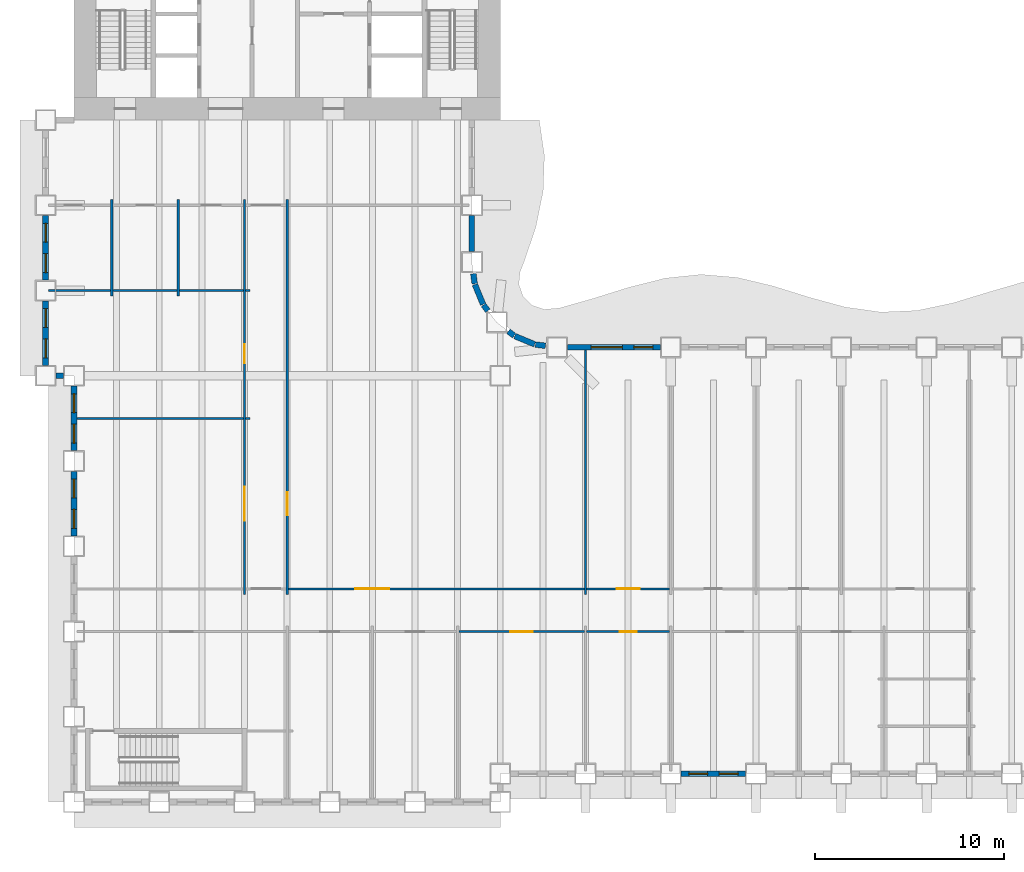
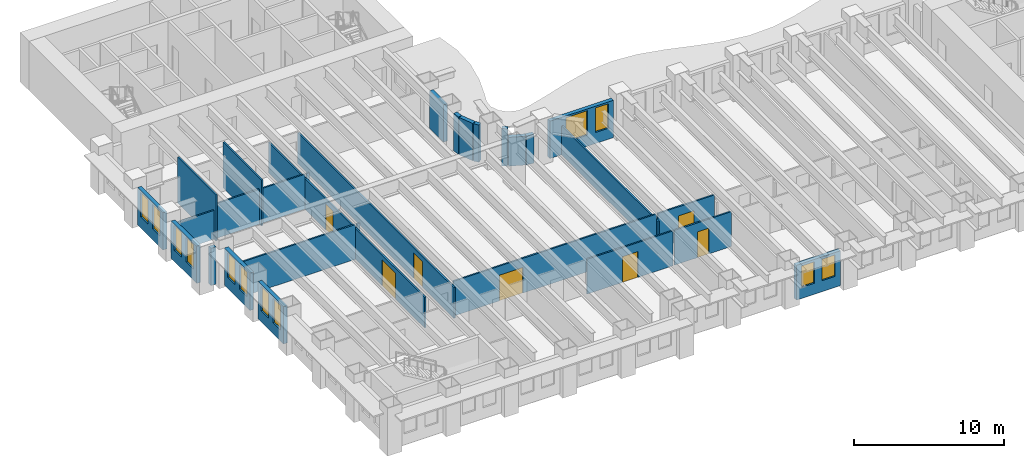
# One storey, part 4 of 16: 29 walls, 12 windows, 7 doors, 19 openings.
"""IFC4 building model written with IfcOpenShell, lengths in metres."""

from ifc_helpers import new_model, si_unit, direction, frame, frame_2d, origin, place, context, subcontext, project, spatial, rectangle, extrude, material, layer, layer_set, type_object, element, fill, save


model = new_model("IFC4")

# Units and contexts
model_context = context("Model", 3, precision=1e-05, world=origin(), true_north=direction((0.0, 1.0)))
body_context = subcontext(model_context, "Body", "Model", "MODEL_VIEW")
ifc_project = project(units=[si_unit("LENGTHUNIT", "METRE"), si_unit("AREAUNIT", "SQUARE_METRE"), si_unit("VOLUMEUNIT", "CUBIC_METRE"), si_unit("PLANEANGLEUNIT", "RADIAN"), si_unit("MASSUNIT", "GRAM", prefix="KILO")], contexts=[model_context])

# Site, building, storey
site_placement = place(None, origin())
site = spatial("IfcSite", under=ifc_project, at=site_placement, CompositionType="ELEMENT")
building_placement = place(site_placement, origin())
building = spatial("IfcBuilding", under=site, at=building_placement, Name="Sennacour Bend Tower", CompositionType="ELEMENT")
storey_placement = place(building_placement, frame((0.0, 0.0, 73.0)))
storey = spatial("IfcBuildingStorey", under=building, at=storey_placement, Name="L16", CompositionType="ELEMENT", Elevation=73.0)

# Walls
ifc_material_1 = material(Name="Plasterboard partition on steel studs", Category="steel")
ifc_layer_1 = layer(ifc_material_1, 0.1201171875, Name="Plasterboard partition on steel studs", Category="steel")
ifc_layer_set_1 = layer_set([ifc_layer_1], Name="Plasterboard partition on steel studs")
wall_type_1 = type_object("IfcWallType", Name="Partition 120", PredefinedType="PARTITIONING", material=ifc_layer_set_1)
for number, where, z_axis, x_axis, name in (
    (1, (2.0, 26.699951171875, 0.0), (0.0, 0.0, 1.0), (0.0, 1.0, 0.0), "P-L16-W004a"),
    (2, (5.5, 26.699951171875, 0.0), (0.0, 0.0, 1.0), (0.0, 1.0, 0.0), "P-L16-W008a"),
):
    element("IfcWall", number, at=place(storey_placement, frame(where, z_axis=z_axis, x_axis=x_axis)), inside=storey, type_object=wall_type_1, Name=name, PredefinedType="PARTITIONING", context=body_context, shape_type="SweptSolid", body=[
        extrude(rectangle(XDim=5.10009765625, YDim=0.1201171875, at=frame_2d((2.550048828125, 0.0))), origin(), (0.0, 0.0, 1.0), 3.75),
    ])

# Wall, openings, doors
wall_1_placement = place(storey_placement, frame((9.0, 10.949951171875, 0.0), z_axis=(0.0, 0.0, 1.0), x_axis=(0.0, 1.0, 0.0)))
wall_1 = element("IfcWall", 3, at=wall_1_placement, inside=storey, type_object=wall_type_1, Name="P-L16-W011a", PredefinedType="PARTITIONING", context=body_context, shape_type="SweptSolid", body=[
    extrude(rectangle(XDim=20.85009765625, YDim=0.1201171875, at=frame_2d((10.425048828125, 0.0))), origin(), (0.0, 0.0, 1.0), 2.5),
])
opening_1_placement = place(wall_1_placement, frame((3.89990234375, 0.0, 0.0)))
opening_1 = element("IfcOpeningElement", 4, at=opening_1_placement, cuts=wall_1, Name="Opening OD3", PredefinedType="OPENING", context=body_context, shape_type="SweptSolid", body=[
    extrude(rectangle(XDim=1.800048828125, YDim=2.10009765625, at=frame_2d((0.89990234375, 1.050048828125))), frame((0.0, 0.070068359375, 0.0), z_axis=(0.0, -1.0, 0.0), x_axis=(1.0, 0.0, 0.0)), (0.0, 0.0, 1.0), 0.14013671875),
])
opening_2_placement = place(wall_1_placement, frame((12.205078125, 0.0, 0.0)))
opening_2 = element("IfcOpeningElement", 5, at=opening_2_placement, cuts=wall_1, Name="Opening OD2", PredefinedType="OPENING", context=body_context, shape_type="SweptSolid", body=[
    extrude(rectangle(XDim=1.0, YDim=2.10009765625, at=frame_2d((0.5, 1.050048828125))), frame((0.0, 0.070068359375, 0.0), z_axis=(0.0, -1.0, 0.0), x_axis=(1.0, 0.0, 0.0)), (0.0, 0.0, 1.0), 0.14013671875),
])
ifc_material_2 = material(Name="Timber", Category="wood")
door_type_1 = type_object("IfcDoorType", Name="DR-OFFICE-1000", OperationType="NOTDEFINED", PredefinedType="DOOR", material=ifc_material_2)
door_1_placement = place(opening_2_placement, origin())
door_1 = element("IfcDoor", 6, at=door_1_placement, inside=storey, type_object=door_type_1, Name="Door", OperationType="SINGLE_SWING_RIGHT", OverallHeight=2.10009765625, OverallWidth=1.0, PredefinedType="DOOR", context=body_context, shape_type="SweptSolid", body=[
    extrude(rectangle(XDim=1.0, YDim=2.10009765625, at=frame_2d((0.5, 1.050048828125))), frame((0.0, 0.02490234375, 0.0), z_axis=(0.0, -1.0, 0.0), x_axis=(1.0, 0.0, 0.0)), (0.0, 0.0, 1.0), 0.050048828125),
])
fill(opening_2, door_1)
door_type_2 = type_object("IfcDoorType", Name="DR-OFFICE-1800", OperationType="NOTDEFINED", PredefinedType="DOOR", material=ifc_material_2)
door_2_placement = place(opening_1_placement, origin())
door_2 = element("IfcDoor", 7, at=door_2_placement, inside=storey, type_object=door_type_2, Name="Door", OperationType="DOUBLE_DOOR_SINGLE_SWING", OverallHeight=2.10009765625, OverallWidth=1.800048828125, PredefinedType="DOOR", context=body_context, shape_type="SweptSolid", body=[
    extrude(rectangle(XDim=1.800048828125, YDim=2.10009765625, at=frame_2d((0.89990234375, 1.050048828125))), frame((0.0, 0.02490234375, 0.0), z_axis=(0.0, -1.0, 0.0), x_axis=(1.0, 0.0, 0.0)), (0.0, 0.0, 1.0), 0.050048828125),
])
fill(opening_1, door_2)

# Wall, opening, door
wall_2_placement = place(storey_placement, frame((11.25, 10.949951171875, 0.0), z_axis=(0.0, 0.0, 1.0), x_axis=(0.0, 1.0, 0.0)))
wall_2 = element("IfcWall", 8, at=wall_2_placement, inside=storey, type_object=wall_type_1, Name="P-L16-W014a", PredefinedType="PARTITIONING", context=body_context, shape_type="SweptSolid", body=[
    extrude(rectangle(XDim=20.85009765625, YDim=0.1201171875, at=frame_2d((10.425048828125, 0.0))), origin(), (0.0, 0.0, 1.0), 2.5),
])
opening_3_placement = place(wall_2_placement, frame((4.199951171875, 0.0, 0.0)))
opening_3 = element("IfcOpeningElement", 9, at=opening_3_placement, cuts=wall_2, Name="Opening OD", PredefinedType="OPENING", context=body_context, shape_type="SweptSolid", body=[
    extrude(rectangle(XDim=1.199951171875, YDim=2.10009765625, at=frame_2d((0.60009765625, 1.050048828125))), frame((0.0, 0.070068359375, 0.0), z_axis=(0.0, -1.0, 0.0), x_axis=(1.0, 0.0, 0.0)), (0.0, 0.0, 1.0), 0.14013671875),
])
door_type_3 = type_object("IfcDoorType", Name="DR-OFFICE-1200", OperationType="NOTDEFINED", PredefinedType="DOOR", material=ifc_material_2)
door_3_placement = place(opening_3_placement, origin())
door_3 = element("IfcDoor", 10, at=door_3_placement, inside=storey, type_object=door_type_3, Name="Door", OperationType="SINGLE_SWING_LEFT", OverallHeight=2.10009765625, OverallWidth=1.199951171875, PredefinedType="DOOR", context=body_context, shape_type="SweptSolid", body=[
    extrude(rectangle(XDim=1.199951171875, YDim=2.10009765625, at=frame_2d((0.60009765625, 1.050048828125))), frame((0.0, 0.02490234375, 0.0), z_axis=(0.0, -1.0, 0.0), x_axis=(1.0, 0.0, 0.0)), (0.0, 0.0, 1.0), 0.050048828125),
])
fill(opening_3, door_3)

# Wall
wall_3_placement = place(storey_placement, frame((27.0, 10.949951171875, 0.0), z_axis=(0.0, 0.0, 1.0), x_axis=(0.0, 1.0, 0.0)))
element("IfcWall", 11, at=wall_3_placement, inside=storey, type_object=wall_type_1, Name="P-L16-W027a", PredefinedType="PARTITIONING", context=body_context, shape_type="SweptSolid", body=[
    extrude(rectangle(XDim=12.900146484375, YDim=0.1201171875, at=frame_2d((6.4501953125, 0.0))), origin(), (0.0, 0.0, 1.0), 2.35009765625),
])

# Wall, opening, door
wall_4_placement = place(storey_placement, frame((20.31005859375, 9.0, 0.0), z_axis=(0.0, 0.0, 1.0), x_axis=(1.0, 0.0, 0.0)))
wall_4 = element("IfcWall", 12, at=wall_4_placement, inside=storey, type_object=wall_type_1, Name="P-L16-W061ad", PredefinedType="PARTITIONING", context=body_context, shape_type="SweptSolid", body=[
    extrude(rectangle(XDim=6.6298828125, YDim=0.1201171875, at=frame_2d((3.31494140625, 0.0))), origin(), (0.0, 0.0, 1.0), 2.837890625),
])
opening_4_placement = place(wall_4_placement, frame((2.71484375, 0.0, 0.0)))
opening_4 = element("IfcOpeningElement", 13, at=opening_4_placement, cuts=wall_4, Name="Opening OD", PredefinedType="OPENING", context=body_context, shape_type="SweptSolid", body=[
    extrude(rectangle(XDim=1.199951171875, YDim=2.10009765625, at=frame_2d((0.60009765625, 1.050048828125))), frame((0.0, 0.070068359375, 0.0), z_axis=(0.0, -1.0, 0.0), x_axis=(1.0, 0.0, 0.0)), (0.0, 0.0, 1.0), 0.14013671875),
])
door_4_placement = place(opening_4_placement, origin())
door_4 = element("IfcDoor", 14, at=door_4_placement, inside=storey, type_object=door_type_3, Name="Door", OperationType="SINGLE_SWING_LEFT", OverallHeight=2.10009765625, OverallWidth=1.199951171875, PredefinedType="DOOR", context=body_context, shape_type="SweptSolid", body=[
    extrude(rectangle(XDim=1.199951171875, YDim=2.10009765625, at=frame_2d((0.60009765625, 1.050048828125))), frame((0.0, 0.02490234375, 0.0), z_axis=(0.0, -1.0, 0.0), x_axis=(1.0, 0.0, 0.0)), (0.0, 0.0, 1.0), 0.050048828125),
])
fill(opening_4, door_4)

wall_5_placement = place(storey_placement, frame((11.31005859375, 11.25, 0.0), z_axis=(0.0, 0.0, 1.0), x_axis=(1.0, 0.0, 0.0)))
wall_5 = element("IfcWall", 15, at=wall_5_placement, inside=storey, type_object=wall_type_1, Name="P-L16-W063ac", PredefinedType="PARTITIONING", context=body_context, shape_type="SweptSolid", body=[
    extrude(rectangle(XDim=15.6298828125, YDim=0.1201171875, at=frame_2d((7.81494140625, 0.0))), origin(), (0.0, 0.0, 1.0), 2.837890625),
])
opening_5_placement = place(wall_5_placement, frame((3.539794921875, 0.0, 0.0)))
opening_5 = element("IfcOpeningElement", 16, at=opening_5_placement, cuts=wall_5, Name="Opening OD3", PredefinedType="OPENING", context=body_context, shape_type="SweptSolid", body=[
    extrude(rectangle(XDim=1.800048828125, YDim=2.10009765625, at=frame_2d((0.89990234375, 1.050048828125))), frame((0.0, 0.070068359375, 0.0), z_axis=(0.0, -1.0, 0.0), x_axis=(1.0, 0.0, 0.0)), (0.0, 0.0, 1.0), 0.14013671875),
])
door_5_placement = place(opening_5_placement, origin())
door_5 = element("IfcDoor", 17, at=door_5_placement, inside=storey, type_object=door_type_2, Name="Door", OperationType="DOUBLE_DOOR_SINGLE_SWING", OverallHeight=2.10009765625, OverallWidth=1.800048828125, PredefinedType="DOOR", context=body_context, shape_type="SweptSolid", body=[
    extrude(rectangle(XDim=1.800048828125, YDim=2.10009765625, at=frame_2d((0.89990234375, 1.050048828125))), frame((0.0, 0.02490234375, 0.0), z_axis=(0.0, -1.0, 0.0), x_axis=(1.0, 0.0, 0.0)), (0.0, 0.0, 1.0), 0.050048828125),
])
fill(opening_5, door_5)

wall_6_placement = place(storey_placement, frame((27.06005859375, 11.25, 0.0), z_axis=(0.0, 0.0, 1.0), x_axis=(1.0, 0.0, 0.0)))
wall_6 = element("IfcWall", 18, at=wall_6_placement, inside=storey, type_object=wall_type_1, Name="P-L16-W063ad", PredefinedType="PARTITIONING", context=body_context, shape_type="SweptSolid", body=[
    extrude(rectangle(XDim=4.3798828125, YDim=0.1201171875, at=frame_2d((2.18994140625, 0.0))), origin(), (0.0, 0.0, 1.0), 2.837890625),
])
opening_6_placement = place(wall_6_placement, frame((1.58984375, 0.0, 0.0)))
opening_6 = element("IfcOpeningElement", 19, at=opening_6_placement, cuts=wall_6, Name="Opening OD", PredefinedType="OPENING", context=body_context, shape_type="SweptSolid", body=[
    extrude(rectangle(XDim=1.199951171875, YDim=2.10009765625, at=frame_2d((0.60009765625, 1.050048828125))), frame((0.0, 0.070068359375, 0.0), z_axis=(0.0, -1.0, 0.0), x_axis=(1.0, 0.0, 0.0)), (0.0, 0.0, 1.0), 0.14013671875),
])
door_6_placement = place(opening_6_placement, origin())
door_6 = element("IfcDoor", 20, at=door_6_placement, inside=storey, type_object=door_type_3, Name="Door", OperationType="SINGLE_SWING_LEFT", OverallHeight=2.10009765625, OverallWidth=1.199951171875, PredefinedType="DOOR", context=body_context, shape_type="SweptSolid", body=[
    extrude(rectangle(XDim=1.199951171875, YDim=2.10009765625, at=frame_2d((0.60009765625, 1.050048828125))), frame((0.0, 0.02490234375, 0.0), z_axis=(0.0, -1.0, 0.0), x_axis=(1.0, 0.0, 0.0)), (0.0, 0.0, 1.0), 0.050048828125),
])
fill(opening_6, door_6)

# Walls
wall_7_placement = place(storey_placement, frame((0.14990234375, 20.25, 0.0), z_axis=(0.0, 0.0, 1.0), x_axis=(1.0, 0.0, 0.0)))
element("IfcWall", 21, at=wall_7_placement, inside=storey, type_object=wall_type_1, Name="P-L16-W072aa", PredefinedType="PARTITIONING", context=body_context, shape_type="SweptSolid", body=[
    extrude(rectangle(XDim=8.7900390625, YDim=0.1201171875, at=frame_2d((4.39501953125, 0.0))), origin(), (0.0, 0.0, 1.0), 2.837890625),
])
wall_8_placement = place(storey_placement, frame((9.06005859375, 20.25, 0.0), z_axis=(0.0, 0.0, 1.0), x_axis=(1.0, 0.0, 0.0)))
element("IfcWall", 22, at=wall_8_placement, inside=storey, type_object=wall_type_1, Name="P-L16-W072ab", PredefinedType="PARTITIONING", context=body_context, shape_type="SweptSolid", body=[
    extrude(rectangle(XDim=0.239990234375, YDim=0.1201171875, at=frame_2d((0.1201171875, 0.0))), origin(), (0.0, 0.0, 1.0), 2.837890625),
])
wall_9_placement = place(storey_placement, frame((-1.35009765625, 27.0, 0.0), z_axis=(0.0, 0.0, 1.0), x_axis=(1.0, 0.0, 0.0)))
element("IfcWall", 23, at=wall_9_placement, inside=storey, type_object=wall_type_1, Name="P-L16-W074aa", PredefinedType="PARTITIONING", context=body_context, shape_type="SweptSolid", body=[
    extrude(rectangle(XDim=3.2900390625, YDim=0.1201171875, at=frame_2d((1.64501953125, 0.0))), origin(), (0.0, 0.0, 1.0), 2.35009765625),
])
for number, where, z_axis, x_axis, name in (
    (24, (2.06005859375, 27.0, 0.0), (0.0, 0.0, 1.0), (1.0, 0.0, 0.0), "P-L16-W074ab"),
    (25, (5.56005859375, 27.0, 0.0), (0.0, 0.0, 1.0), (1.0, 0.0, 0.0), "P-L16-W074ac"),
):
    element("IfcWall", number, at=place(storey_placement, frame(where, z_axis=z_axis, x_axis=x_axis)), inside=storey, type_object=wall_type_1, Name=name, PredefinedType="PARTITIONING", context=body_context, shape_type="SweptSolid", body=[
        extrude(rectangle(XDim=3.3798828125, YDim=0.1201171875, at=frame_2d((1.68994140625, 0.0))), origin(), (0.0, 0.0, 1.0), 2.837890625),
    ])
wall_10_placement = place(storey_placement, frame((9.06005859375, 27.0, 0.0), z_axis=(0.0, 0.0, 1.0), x_axis=(1.0, 0.0, 0.0)))
element("IfcWall", 26, at=wall_10_placement, inside=storey, type_object=wall_type_1, Name="P-L16-W074ad", PredefinedType="PARTITIONING", context=body_context, shape_type="SweptSolid", body=[
    extrude(rectangle(XDim=0.239990234375, YDim=0.1201171875, at=frame_2d((0.1201171875, 0.0))), origin(), (0.0, 0.0, 1.0), 2.837890625),
])

# Wall, opening, door
ifc_layer_2 = layer(ifc_material_1, 0.1201171875, Name="Plasterboard partition on steel studs", Category="steel")
ifc_layer_set_2 = layer_set([ifc_layer_2], Name="Plasterboard partition on steel studs")
wall_type_2 = type_object("IfcWallType", Name="Partition 120 EI 60", PredefinedType="PARTITIONING", material=ifc_layer_set_2)
wall_11_placement = place(storey_placement, frame((27.06005859375, 9.0, 0.0), z_axis=(0.0, 0.0, 1.0), x_axis=(1.0, 0.0, 0.0)))
wall_11 = element("IfcWall", 27, at=wall_11_placement, inside=storey, type_object=wall_type_2, Name="P-L16-W061ae", PredefinedType="PARTITIONING", context=body_context, shape_type="SweptSolid", body=[
    extrude(rectangle(XDim=4.3798828125, YDim=0.1201171875, at=frame_2d((2.18994140625, 0.0))), origin(), (0.0, 0.0, 1.0), 2.837890625),
])
opening_7_placement = place(wall_11_placement, frame((1.739990234375, 0.0, 0.0)))
opening_7 = element("IfcOpeningElement", 28, at=opening_7_placement, cuts=wall_11, Name="Opening SV", PredefinedType="OPENING", context=body_context, shape_type="SweptSolid", body=[
    extrude(rectangle(XDim=0.89990234375, YDim=2.10009765625, at=frame_2d((0.449951171875, 1.050048828125))), frame((0.0, 0.070068359375, 0.0), z_axis=(0.0, -1.0, 0.0), x_axis=(1.0, 0.0, 0.0)), (0.0, 0.0, 1.0), 0.14013671875),
])
ifc_material_3 = material(Name="Painted steel", Category="steel")
door_type_4 = type_object("IfcDoorType", Name="DR-SERVICE-900", OperationType="NOTDEFINED", PredefinedType="DOOR", material=ifc_material_3)
door_7_placement = place(opening_7_placement, origin())
door_7 = element("IfcDoor", 29, at=door_7_placement, inside=storey, type_object=door_type_4, Name="Door", OperationType="SINGLE_SWING_LEFT", OverallHeight=2.10009765625, OverallWidth=0.89990234375, PredefinedType="DOOR", context=body_context, shape_type="SweptSolid", body=[
    extrude(rectangle(XDim=0.89990234375, YDim=2.10009765625, at=frame_2d((0.449951171875, 1.050048828125))), frame((0.0, 0.02490234375, 0.0), z_axis=(0.0, -1.0, 0.0), x_axis=(1.0, 0.0, 0.0)), (0.0, 0.0, 1.0), 0.050048828125),
])
fill(opening_7, door_7)

# Wall, openings, windows
ifc_material_4 = material(Name="Warm limestone cladding", Category="masonry")
ifc_layer_3 = layer(ifc_material_4, 0.050048828125, Name="Warm limestone cladding", Category="masonry")
ifc_material_5 = material(Name="Precast concrete C40/50", Category="concrete")
ifc_layer_4 = layer(ifc_material_5, 0.25, Name="Precast concrete C40/50", Category="concrete")
ifc_layer_set_3 = layer_set([ifc_layer_3, ifc_layer_4], Name="Precast concrete C40/50 with limestone cladding")
wall_type_3 = type_object("IfcWallType", Name="STONE-CLAD PRECAST SPANDREL 300", PredefinedType="STANDARD", material=ifc_layer_set_3)
wall_12_placement = place(storey_placement, frame((32.050048828125, 1.5, 0.0), z_axis=(0.0, 0.0, 1.0), x_axis=(1.0, 0.0, 0.0)))
wall_12 = element("IfcWall", 30, at=wall_12_placement, inside=storey, type_object=wall_type_3, Name="Stone spandrel and pier wall L16 02.02", PredefinedType="STANDARD", context=body_context, shape_type="SweptSolid", body=[
    extrude(rectangle(XDim=3.39990234375, YDim=0.300048828125, at=frame_2d((1.699951171875, 0.0))), origin(), (0.0, 0.0, 1.0), 2.837890625),
])
opening_8_placement = place(wall_12_placement, frame((0.39990234375, 0.0, 0.89990234375)))
opening_8 = element("IfcOpeningElement", 31, at=opening_8_placement, cuts=wall_12, Name="Opening W11", PredefinedType="OPENING", context=body_context, shape_type="SweptSolid", body=[
    extrude(rectangle(XDim=1.0, YDim=1.75, at=frame_2d((0.5, 0.875))), frame((0.0, 0.16015625, 0.0), z_axis=(0.0, -1.0, 0.0), x_axis=(1.0, 0.0, 0.0)), (0.0, 0.0, 1.0), 0.320068359375),
])
opening_9_placement = place(wall_12_placement, frame((2.0, 0.0, 0.89990234375)))
opening_9 = element("IfcOpeningElement", 32, at=opening_9_placement, cuts=wall_12, Name="Opening W11", PredefinedType="OPENING", context=body_context, shape_type="SweptSolid", body=[
    extrude(rectangle(XDim=1.0, YDim=1.75, at=frame_2d((0.5, 0.875))), frame((0.0, 0.16015625, 0.0), z_axis=(0.0, -1.0, 0.0), x_axis=(1.0, 0.0, 0.0)), (0.0, 0.0, 1.0), 0.320068359375),
])
ifc_material_6 = material(Name="Clear low-emissivity glass", Category="glass")
window_type_1 = type_object("IfcWindowType", Name="WIN-RIBBON-1000x1750", PartitioningType="SINGLE_PANEL", PredefinedType="WINDOW", material=ifc_material_6)
window_1_placement = place(opening_8_placement, origin())
window_1 = element("IfcWindow", 33, at=window_1_placement, inside=storey, type_object=window_type_1, Name="Ribbon window L16 02.02.0", OverallHeight=1.75, OverallWidth=1.0, PartitioningType="SINGLE_PANEL", PredefinedType="WINDOW", context=body_context, shape_type="SweptSolid", body=[
    extrude(rectangle(XDim=1.0, YDim=1.75, at=frame_2d((0.5, 0.875))), frame((0.0, 0.030029296875, 0.0), z_axis=(0.0, -1.0, 0.0), x_axis=(1.0, 0.0, 0.0)), (0.0, 0.0, 1.0), 0.06005859375),
])
fill(opening_8, window_1)
window_2_placement = place(opening_9_placement, origin())
window_2 = element("IfcWindow", 34, at=window_2_placement, inside=storey, type_object=window_type_1, Name="Ribbon window L16 02.02.1", OverallHeight=1.75, OverallWidth=1.0, PartitioningType="SINGLE_PANEL", PredefinedType="WINDOW", context=body_context, shape_type="SweptSolid", body=[
    extrude(rectangle(XDim=1.0, YDim=1.75, at=frame_2d((0.5, 0.875))), frame((0.0, 0.030029296875, 0.0), z_axis=(0.0, -1.0, 0.0), x_axis=(1.0, 0.0, 0.0)), (0.0, 0.0, 1.0), 0.06005859375),
])
fill(opening_9, window_2)

wall_13_placement = place(storey_placement, frame((30.949951171875, 24.0, 0.0), z_axis=(0.0, 0.0, 1.0), x_axis=(-1.0, 0.0, 0.0)))
wall_13 = element("IfcWall", 35, at=wall_13_placement, inside=storey, type_object=wall_type_3, Name="Stone spandrel and pier wall L16 08.05", PredefinedType="STANDARD", context=body_context, shape_type="SweptSolid", body=[
    extrude(rectangle(XDim=4.89990234375, YDim=0.300048828125, at=frame_2d((2.449951171875, 0.0))), origin(), (0.0, 0.0, 1.0), 3.0439453125),
])
opening_10_placement = place(wall_13_placement, frame((0.39990234375, 0.0, 0.89990234375)))
opening_10 = element("IfcOpeningElement", 36, at=opening_10_placement, cuts=wall_13, Name="Opening W8", PredefinedType="OPENING", context=body_context, shape_type="SweptSolid", body=[
    extrude(rectangle(XDim=1.0, YDim=2.0, at=frame_2d((0.5, 1.0))), frame((0.0, 0.16015625, 0.0), z_axis=(0.0, -1.0, 0.0), x_axis=(1.0, 0.0, 0.0)), (0.0, 0.0, 1.0), 0.320068359375),
])
opening_11_placement = place(wall_13_placement, frame((2.0, 0.0, 0.89990234375)))
opening_11 = element("IfcOpeningElement", 37, at=opening_11_placement, cuts=wall_13, Name="Opening W10", PredefinedType="OPENING", context=body_context, shape_type="SweptSolid", body=[
    extrude(rectangle(XDim=1.64990234375, YDim=2.0, at=frame_2d((0.824951171875, 1.0))), frame((0.0, 0.16015625, 0.0), z_axis=(0.0, -1.0, 0.0), x_axis=(1.0, 0.0, 0.0)), (0.0, 0.0, 1.0), 0.320068359375),
])
window_type_2 = type_object("IfcWindowType", Name="WIN-RIBBON-1000x2000", PartitioningType="SINGLE_PANEL", PredefinedType="WINDOW", material=ifc_material_6)
window_3_placement = place(opening_10_placement, origin())
window_3 = element("IfcWindow", 38, at=window_3_placement, inside=storey, type_object=window_type_2, Name="Ribbon window L16 08.05.0", OverallHeight=2.0, OverallWidth=1.0, PartitioningType="SINGLE_PANEL", PredefinedType="WINDOW", context=body_context, shape_type="SweptSolid", body=[
    extrude(rectangle(XDim=1.0, YDim=2.0, at=frame_2d((0.5, 1.0))), frame((0.0, 0.030029296875, 0.0), z_axis=(0.0, -1.0, 0.0), x_axis=(1.0, 0.0, 0.0)), (0.0, 0.0, 1.0), 0.06005859375),
])
fill(opening_10, window_3)
window_type_3 = type_object("IfcWindowType", Name="WIN-RIBBON-1650x2000", PartitioningType="SINGLE_PANEL", PredefinedType="WINDOW", material=ifc_material_6)
window_4_placement = place(opening_11_placement, origin())
window_4 = element("IfcWindow", 39, at=window_4_placement, inside=storey, type_object=window_type_3, Name="Ribbon window L16 08.05.1", OverallHeight=2.0, OverallWidth=1.64990234375, PartitioningType="SINGLE_PANEL", PredefinedType="WINDOW", context=body_context, shape_type="SweptSolid", body=[
    extrude(rectangle(XDim=1.64990234375, YDim=2.0, at=frame_2d((0.824951171875, 1.0))), frame((0.0, 0.030029296875, 0.0), z_axis=(0.0, -1.0, 0.0), x_axis=(1.0, 0.0, 0.0)), (0.0, 0.0, 1.0), 0.06005859375),
])
fill(opening_11, window_4)

# Walls
wall_14_placement = place(storey_placement, frame((24.88818359375, 24.08056640625, 0.0), z_axis=(0.0, 0.0, 1.0), x_axis=(-0.991417173479, 0.130736330569, 0.0)))
element("IfcWall", 40, at=wall_14_placement, inside=storey, type_object=wall_type_3, Name="Stone spandrel and pier wall L16 09.00", PredefinedType="STANDARD", context=body_context, shape_type="SweptSolid", body=[
    extrude(rectangle(XDim=0.537841796875, YDim=0.300048828125, at=frame_2d((0.26904296875, 0.0))), origin(), (0.0, 0.0, 1.0), 2.35009765625),
])
wall_15_placement = place(storey_placement, frame((24.317138671875, 24.160888671875, 0.0), z_axis=(0.0, 0.0, 1.0), x_axis=(-0.923914616768, 0.382598720491, 0.0)))
element("IfcWall", 41, at=wall_15_placement, inside=storey, type_object=wall_type_3, Name="Stone spandrel and pier wall L16 10.00", PredefinedType="STANDARD", context=body_context, shape_type="SweptSolid", body=[
    extrude(rectangle(XDim=1.13525390625, YDim=0.300048828125, at=frame_2d((0.567626953125, 0.0))), origin(), (0.0, 0.0, 1.0), 2.35009765625),
])
for number, where, z_axis, x_axis, name in (
    (42, (23.234375, 24.614990234375, 0.0), (0.0, 0.0, 1.0), (-0.79354495224, 0.60851163405, 0.0), "Stone spandrel and pier wall L16 11.00"),
    (43, (21.8486328125, 25.9296875, 0.0), (0.0, 0.0, 1.0), (-0.60851163405, 0.79354495224, 0.0), "Stone spandrel and pier wall L16 12.00"),
):
    element("IfcWall", number, at=place(storey_placement, frame(where, z_axis=z_axis, x_axis=x_axis)), inside=storey, type_object=wall_type_3, Name=name, PredefinedType="STANDARD", context=body_context, shape_type="SweptSolid", body=[
        extrude(rectangle(XDim=0.384033203125, YDim=0.300048828125, at=frame_2d((0.19189453125, 0.0))), origin(), (0.0, 0.0, 1.0), 3.0439453125),
    ])
wall_16_placement = place(storey_placement, frame((21.59521484375, 26.268310546875, 0.0), z_axis=(0.0, 0.0, 1.0), x_axis=(-0.382598720491, 0.923914616768, 0.0)))
element("IfcWall", 44, at=wall_16_placement, inside=storey, type_object=wall_type_3, Name="Stone spandrel and pier wall L16 13.00", PredefinedType="STANDARD", context=body_context, shape_type="SweptSolid", body=[
    extrude(rectangle(XDim=1.13525390625, YDim=0.300048828125, at=frame_2d((0.567626953125, 0.0))), origin(), (0.0, 0.0, 1.0), 3.0439453125),
])
wall_17_placement = place(storey_placement, frame((21.15087890625, 27.35498046875, 0.0), z_axis=(0.0, 0.0, 1.0), x_axis=(-0.130736330569, 0.991417173479, 0.0)))
element("IfcWall", 45, at=wall_17_placement, inside=storey, type_object=wall_type_3, Name="Stone spandrel and pier wall L16 14.00", PredefinedType="STANDARD", context=body_context, shape_type="SweptSolid", body=[
    extrude(rectangle(XDim=0.537841796875, YDim=0.300048828125, at=frame_2d((0.26904296875, 0.0))), origin(), (0.0, 0.0, 1.0), 3.0439453125),
])
wall_18_placement = place(storey_placement, frame((21.0, 29.050048828125, 0.0), z_axis=(0.0, 0.0, 1.0), x_axis=(0.0, 1.0, 0.0)))
element("IfcWall", 46, at=wall_18_placement, inside=storey, type_object=wall_type_3, Name="Stone spandrel and pier wall L16 15.00", PredefinedType="STANDARD", context=body_context, shape_type="SweptSolid", body=[
    extrude(rectangle(XDim=1.89990234375, YDim=0.300048828125, at=frame_2d((0.949951171875, 0.0))), origin(), (0.0, 0.0, 1.0), 3.0439453125),
])

# Wall, openings, windows
wall_19_placement = place(storey_placement, frame((-1.5, 30.949951171875, 0.0), z_axis=(0.0, 0.0, 1.0), x_axis=(0.0, -1.0, 0.0)))
wall_19 = element("IfcWall", 47, at=wall_19_placement, inside=storey, type_object=wall_type_3, Name="Stone spandrel and pier wall L16 21.01", PredefinedType="STANDARD", context=body_context, shape_type="SweptSolid", body=[
    extrude(rectangle(XDim=3.39990234375, YDim=0.300048828125, at=frame_2d((1.699951171875, 0.0))), origin(), (0.0, 0.0, 1.0), 3.0439453125),
])
opening_12_placement = place(wall_19_placement, frame((0.39990234375, 0.0, 0.89990234375)))
opening_12 = element("IfcOpeningElement", 48, at=opening_12_placement, cuts=wall_19, Name="Opening W8", PredefinedType="OPENING", context=body_context, shape_type="SweptSolid", body=[
    extrude(rectangle(XDim=1.0, YDim=2.0, at=frame_2d((0.5, 1.0))), frame((0.0, 0.16015625, 0.0), z_axis=(0.0, -1.0, 0.0), x_axis=(1.0, 0.0, 0.0)), (0.0, 0.0, 1.0), 0.320068359375),
])
opening_13_placement = place(wall_19_placement, frame((2.0, 0.0, 0.89990234375)))
opening_13 = element("IfcOpeningElement", 49, at=opening_13_placement, cuts=wall_19, Name="Opening W8", PredefinedType="OPENING", context=body_context, shape_type="SweptSolid", body=[
    extrude(rectangle(XDim=1.0, YDim=2.0, at=frame_2d((0.5, 1.0))), frame((0.0, 0.16015625, 0.0), z_axis=(0.0, -1.0, 0.0), x_axis=(1.0, 0.0, 0.0)), (0.0, 0.0, 1.0), 0.320068359375),
])
window_5_placement = place(opening_12_placement, origin())
window_5 = element("IfcWindow", 50, at=window_5_placement, inside=storey, type_object=window_type_2, Name="Ribbon window L16 21.01.0", OverallHeight=2.0, OverallWidth=1.0, PartitioningType="SINGLE_PANEL", PredefinedType="WINDOW", context=body_context, shape_type="SweptSolid", body=[
    extrude(rectangle(XDim=1.0, YDim=2.0, at=frame_2d((0.5, 1.0))), frame((0.0, 0.030029296875, 0.0), z_axis=(0.0, -1.0, 0.0), x_axis=(1.0, 0.0, 0.0)), (0.0, 0.0, 1.0), 0.06005859375),
])
fill(opening_12, window_5)
window_6_placement = place(opening_13_placement, origin())
window_6 = element("IfcWindow", 51, at=window_6_placement, inside=storey, type_object=window_type_2, Name="Ribbon window L16 21.01.1", OverallHeight=2.0, OverallWidth=1.0, PartitioningType="SINGLE_PANEL", PredefinedType="WINDOW", context=body_context, shape_type="SweptSolid", body=[
    extrude(rectangle(XDim=1.0, YDim=2.0, at=frame_2d((0.5, 1.0))), frame((0.0, 0.030029296875, 0.0), z_axis=(0.0, -1.0, 0.0), x_axis=(1.0, 0.0, 0.0)), (0.0, 0.0, 1.0), 0.06005859375),
])
fill(opening_13, window_6)

wall_20_placement = place(storey_placement, frame((-1.5, 26.449951171875, 0.0), z_axis=(0.0, 0.0, 1.0), x_axis=(0.0, -1.0, 0.0)))
wall_20 = element("IfcWall", 52, at=wall_20_placement, inside=storey, type_object=wall_type_3, Name="Stone spandrel and pier wall L16 21.02", PredefinedType="STANDARD", context=body_context, shape_type="SweptSolid", body=[
    extrude(rectangle(XDim=3.39990234375, YDim=0.300048828125, at=frame_2d((1.699951171875, 0.0))), origin(), (0.0, 0.0, 1.0), 3.0439453125),
])
opening_14_placement = place(wall_20_placement, frame((0.39990234375, 0.0, 0.89990234375)))
opening_14 = element("IfcOpeningElement", 53, at=opening_14_placement, cuts=wall_20, Name="Opening W8", PredefinedType="OPENING", context=body_context, shape_type="SweptSolid", body=[
    extrude(rectangle(XDim=1.0, YDim=2.0, at=frame_2d((0.5, 1.0))), frame((0.0, 0.16015625, 0.0), z_axis=(0.0, -1.0, 0.0), x_axis=(1.0, 0.0, 0.0)), (0.0, 0.0, 1.0), 0.320068359375),
])
opening_15_placement = place(wall_20_placement, frame((2.0, 0.0, 0.89990234375)))
opening_15 = element("IfcOpeningElement", 54, at=opening_15_placement, cuts=wall_20, Name="Opening W8", PredefinedType="OPENING", context=body_context, shape_type="SweptSolid", body=[
    extrude(rectangle(XDim=1.0, YDim=2.0, at=frame_2d((0.5, 1.0))), frame((0.0, 0.16015625, 0.0), z_axis=(0.0, -1.0, 0.0), x_axis=(1.0, 0.0, 0.0)), (0.0, 0.0, 1.0), 0.320068359375),
])
window_7_placement = place(opening_14_placement, origin())
window_7 = element("IfcWindow", 55, at=window_7_placement, inside=storey, type_object=window_type_2, Name="Ribbon window L16 21.02.0", OverallHeight=2.0, OverallWidth=1.0, PartitioningType="SINGLE_PANEL", PredefinedType="WINDOW", context=body_context, shape_type="SweptSolid", body=[
    extrude(rectangle(XDim=1.0, YDim=2.0, at=frame_2d((0.5, 1.0))), frame((0.0, 0.030029296875, 0.0), z_axis=(0.0, -1.0, 0.0), x_axis=(1.0, 0.0, 0.0)), (0.0, 0.0, 1.0), 0.06005859375),
])
fill(opening_14, window_7)
window_8_placement = place(opening_15_placement, origin())
window_8 = element("IfcWindow", 56, at=window_8_placement, inside=storey, type_object=window_type_2, Name="Ribbon window L16 21.02.1", OverallHeight=2.0, OverallWidth=1.0, PartitioningType="SINGLE_PANEL", PredefinedType="WINDOW", context=body_context, shape_type="SweptSolid", body=[
    extrude(rectangle(XDim=1.0, YDim=2.0, at=frame_2d((0.5, 1.0))), frame((0.0, 0.030029296875, 0.0), z_axis=(0.0, -1.0, 0.0), x_axis=(1.0, 0.0, 0.0)), (0.0, 0.0, 1.0), 0.06005859375),
])
fill(opening_15, window_8)

# Wall
wall_21_placement = place(storey_placement, frame((-0.949951171875, 22.5, 0.0), z_axis=(0.0, 0.0, 1.0), x_axis=(1.0, 0.0, 0.0)))
element("IfcWall", 57, at=wall_21_placement, inside=storey, type_object=wall_type_3, Name="Stone spandrel and pier wall L16 22.00", PredefinedType="STANDARD", context=body_context, shape_type="SweptSolid", body=[
    extrude(rectangle(XDim=0.39990234375, YDim=0.300048828125, at=frame_2d((0.199951171875, 0.0))), origin(), (0.0, 0.0, 1.0), 3.0439453125),
])

# Wall, openings, windows
wall_22_placement = place(storey_placement, frame((0.0, 21.949951171875, 0.0), z_axis=(0.0, 0.0, 1.0), x_axis=(0.0, -1.0, 0.0)))
wall_22 = element("IfcWall", 58, at=wall_22_placement, inside=storey, type_object=wall_type_3, Name="Stone spandrel and pier wall L16 23.00", PredefinedType="STANDARD", context=body_context, shape_type="SweptSolid", body=[
    extrude(rectangle(XDim=3.39990234375, YDim=0.300048828125, at=frame_2d((1.699951171875, 0.0))), origin(), (0.0, 0.0, 1.0), 3.0439453125),
])
opening_16_placement = place(wall_22_placement, frame((0.39990234375, 0.0, 0.89990234375)))
opening_16 = element("IfcOpeningElement", 59, at=opening_16_placement, cuts=wall_22, Name="Opening W8", PredefinedType="OPENING", context=body_context, shape_type="SweptSolid", body=[
    extrude(rectangle(XDim=1.0, YDim=2.0, at=frame_2d((0.5, 1.0))), frame((0.0, 0.16015625, 0.0), z_axis=(0.0, -1.0, 0.0), x_axis=(1.0, 0.0, 0.0)), (0.0, 0.0, 1.0), 0.320068359375),
])
opening_17_placement = place(wall_22_placement, frame((2.0, 0.0, 0.89990234375)))
opening_17 = element("IfcOpeningElement", 60, at=opening_17_placement, cuts=wall_22, Name="Opening W8", PredefinedType="OPENING", context=body_context, shape_type="SweptSolid", body=[
    extrude(rectangle(XDim=1.0, YDim=2.0, at=frame_2d((0.5, 1.0))), frame((0.0, 0.16015625, 0.0), z_axis=(0.0, -1.0, 0.0), x_axis=(1.0, 0.0, 0.0)), (0.0, 0.0, 1.0), 0.320068359375),
])
window_9_placement = place(opening_16_placement, origin())
window_9 = element("IfcWindow", 61, at=window_9_placement, inside=storey, type_object=window_type_2, Name="Ribbon window L16 23.00.0", OverallHeight=2.0, OverallWidth=1.0, PartitioningType="SINGLE_PANEL", PredefinedType="WINDOW", context=body_context, shape_type="SweptSolid", body=[
    extrude(rectangle(XDim=1.0, YDim=2.0, at=frame_2d((0.5, 1.0))), frame((0.0, 0.030029296875, 0.0), z_axis=(0.0, -1.0, 0.0), x_axis=(1.0, 0.0, 0.0)), (0.0, 0.0, 1.0), 0.06005859375),
])
fill(opening_16, window_9)
window_10_placement = place(opening_17_placement, origin())
window_10 = element("IfcWindow", 62, at=window_10_placement, inside=storey, type_object=window_type_2, Name="Ribbon window L16 23.00.1", OverallHeight=2.0, OverallWidth=1.0, PartitioningType="SINGLE_PANEL", PredefinedType="WINDOW", context=body_context, shape_type="SweptSolid", body=[
    extrude(rectangle(XDim=1.0, YDim=2.0, at=frame_2d((0.5, 1.0))), frame((0.0, 0.030029296875, 0.0), z_axis=(0.0, -1.0, 0.0), x_axis=(1.0, 0.0, 0.0)), (0.0, 0.0, 1.0), 0.06005859375),
])
fill(opening_17, window_10)

wall_23_placement = place(storey_placement, frame((0.0, 17.449951171875, 0.0), z_axis=(0.0, 0.0, 1.0), x_axis=(0.0, -1.0, 0.0)))
wall_23 = element("IfcWall", 63, at=wall_23_placement, inside=storey, type_object=wall_type_3, Name="Stone spandrel and pier wall L16 23.01", PredefinedType="STANDARD", context=body_context, shape_type="SweptSolid", body=[
    extrude(rectangle(XDim=3.39990234375, YDim=0.300048828125, at=frame_2d((1.699951171875, 0.0))), origin(), (0.0, 0.0, 1.0), 3.0439453125),
])
opening_18_placement = place(wall_23_placement, frame((0.39990234375, 0.0, 0.89990234375)))
opening_18 = element("IfcOpeningElement", 64, at=opening_18_placement, cuts=wall_23, Name="Opening W8", PredefinedType="OPENING", context=body_context, shape_type="SweptSolid", body=[
    extrude(rectangle(XDim=1.0, YDim=2.0, at=frame_2d((0.5, 1.0))), frame((0.0, 0.16015625, 0.0), z_axis=(0.0, -1.0, 0.0), x_axis=(1.0, 0.0, 0.0)), (0.0, 0.0, 1.0), 0.320068359375),
])
opening_19_placement = place(wall_23_placement, frame((2.0, 0.0, 0.89990234375)))
opening_19 = element("IfcOpeningElement", 65, at=opening_19_placement, cuts=wall_23, Name="Opening W8", PredefinedType="OPENING", context=body_context, shape_type="SweptSolid", body=[
    extrude(rectangle(XDim=1.0, YDim=2.0, at=frame_2d((0.5, 1.0))), frame((0.0, 0.16015625, 0.0), z_axis=(0.0, -1.0, 0.0), x_axis=(1.0, 0.0, 0.0)), (0.0, 0.0, 1.0), 0.320068359375),
])
window_11_placement = place(opening_18_placement, origin())
window_11 = element("IfcWindow", 66, at=window_11_placement, inside=storey, type_object=window_type_2, Name="Ribbon window L16 23.01.0", OverallHeight=2.0, OverallWidth=1.0, PartitioningType="SINGLE_PANEL", PredefinedType="WINDOW", context=body_context, shape_type="SweptSolid", body=[
    extrude(rectangle(XDim=1.0, YDim=2.0, at=frame_2d((0.5, 1.0))), frame((0.0, 0.030029296875, 0.0), z_axis=(0.0, -1.0, 0.0), x_axis=(1.0, 0.0, 0.0)), (0.0, 0.0, 1.0), 0.06005859375),
])
fill(opening_18, window_11)
window_12_placement = place(opening_19_placement, origin())
window_12 = element("IfcWindow", 67, at=window_12_placement, inside=storey, type_object=window_type_2, Name="Ribbon window L16 23.01.1", OverallHeight=2.0, OverallWidth=1.0, PartitioningType="SINGLE_PANEL", PredefinedType="WINDOW", context=body_context, shape_type="SweptSolid", body=[
    extrude(rectangle(XDim=1.0, YDim=2.0, at=frame_2d((0.5, 1.0))), frame((0.0, 0.030029296875, 0.0), z_axis=(0.0, -1.0, 0.0), x_axis=(1.0, 0.0, 0.0)), (0.0, 0.0, 1.0), 0.06005859375),
])
fill(opening_19, window_12)

save(model, "model.ifc")
